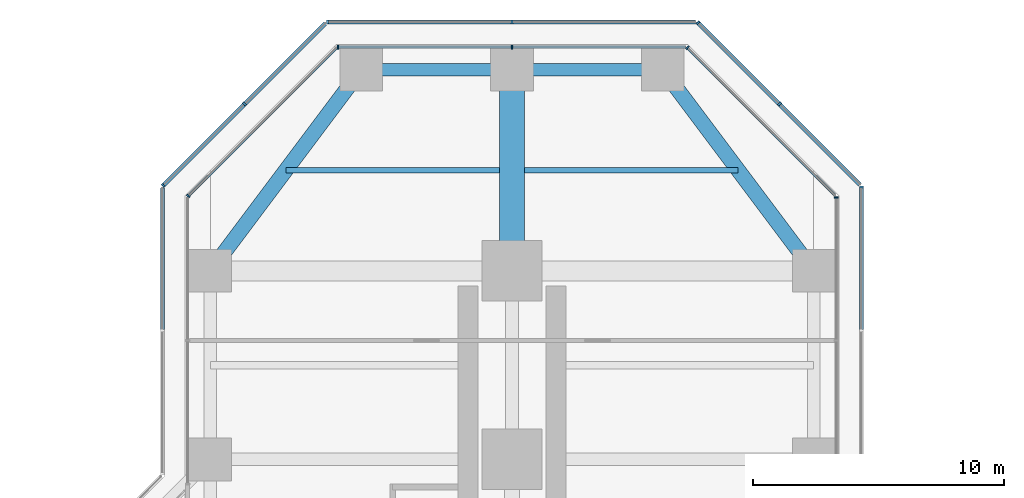
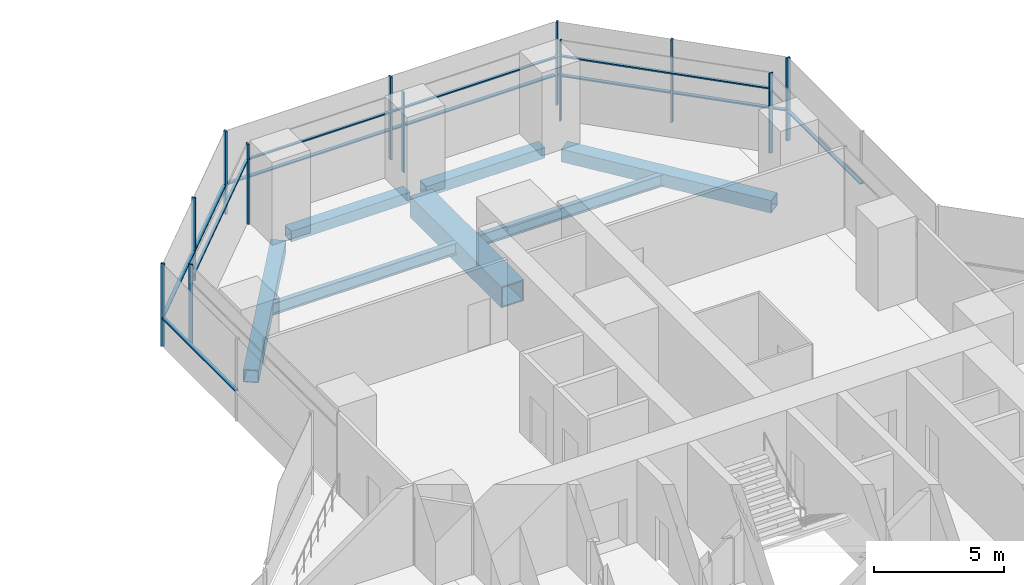
# One storey, part 13 of 22: 24 members, 7 beams, 9 elements without a shape of their own.
"""IFC4 building model written with IfcOpenShell, lengths in metres."""

from ifc_helpers import new_model, si_unit, direction, frame, origin, origin_2d, place, context, subcontext, project, spatial, rectangle, hollow_rectangle, i_section, extrude, material, material_profile, profile_set, type_object, element, aggregate, save


model = new_model("IFC4")

# Units and contexts
model_context = context("Model", 3, precision=1e-05, world=origin(), true_north=direction((0.0, 1.0)))
body_context = subcontext(model_context, "Body", "Model", "MODEL_VIEW")
ifc_project = project(units=[si_unit("LENGTHUNIT", "METRE"), si_unit("AREAUNIT", "SQUARE_METRE"), si_unit("VOLUMEUNIT", "CUBIC_METRE"), si_unit("PLANEANGLEUNIT", "RADIAN"), si_unit("MASSUNIT", "GRAM", prefix="KILO")], contexts=[model_context])

# Site, building, storey
site_placement = place(None, origin())
site = spatial("IfcSite", under=ifc_project, at=site_placement, CompositionType="ELEMENT")
building_placement = place(site_placement, origin())
building = spatial("IfcBuilding", under=site, at=building_placement, Name="Mizan Broadcast Tower", CompositionType="ELEMENT")
storey_placement = place(building_placement, frame((0.0, 0.0, 70.800048828125)))
storey = spatial("IfcBuildingStorey", under=building, at=storey_placement, Name="L14", CompositionType="ELEMENT", Elevation=70.800048828125)

# Beams
ifc_material_1 = material(Name="Steel S355", Category="steel")
ifc_material_profile_1 = material_profile(ifc_material_1, hollow_rectangle(XDim=0.5, YDim=0.5, WallThickness=0.030029296875, at=origin_2d()), Name="BOX 500x500x30")
ifc_profile_set_1 = profile_set([ifc_material_profile_1], Name="Steel S355")
beam_type_1 = type_object("IfcBeamType", Name="EDGE BEAM BOX 500x500x30", PredefinedType="SPANDREL", material=ifc_profile_set_1)
for number, where, z_axis, x_axis, name in (
    (1, (5.639892578125, 35.0, -0.380126953125), (-1.0, 0.0, 0.0), (0.0, -1.0, 0.0), "Edge beam BOX 500x500x30 L14 north arm"),
    (2, (-5.639892578125, 35.0, -0.380126953125), (1.0, 0.0, 0.0), (0.0, 1.0, 0.0), "Edge beam BOX 500x500x30 L14 north arm"),
):
    element("IfcBeam", number, at=place(storey_placement, frame(where, z_axis=z_axis, x_axis=x_axis)), inside=storey, type_object=beam_type_1, Name=name, PredefinedType="SPANDREL", context=body_context, shape_type="SweptSolid", body=[
        extrude(hollow_rectangle(XDim=0.5, YDim=0.5, WallThickness=0.030029296875, at=origin_2d()), origin(), (0.0, 0.0, 1.0), 5.27978515625),
    ])
ifc_material_2 = material(Name="Steel S355", Category="steel")
ifc_material_profile_2 = material_profile(ifc_material_2, hollow_rectangle(XDim=0.60009765625, YDim=0.60009765625, WallThickness=0.030029296875, at=origin_2d()), Name="BOX 600x600x30")
ifc_profile_set_2 = profile_set([ifc_material_profile_2], Name="Steel S355")
beam_type_2 = type_object("IfcBeamType", Name="EDGE BEAM BOX 600x600x30", PredefinedType="SPANDREL", material=ifc_profile_set_2)
for number, where, z_axis, x_axis, name in (
    (3, (11.639892578125, 27.47998046875, -0.429931640625), (-0.599982243973, 0.800013316712, 0.0), (-0.800013316712, -0.599982243973, 0.0), "Edge beam BOX 600x600x30 L14 north arm"),
    (4, (-11.639892578125, 27.47998046875, -0.429931640625), (0.599982243973, 0.800013316712, 0.0), (-0.800013316712, 0.599982243973, 0.0), "Edge beam BOX 600x600x30 L14 north arm"),
):
    element("IfcBeam", number, at=place(storey_placement, frame(where, z_axis=z_axis, x_axis=x_axis)), inside=storey, type_object=beam_type_2, Name=name, PredefinedType="SPANDREL", context=body_context, shape_type="SweptSolid", body=[
        extrude(hollow_rectangle(XDim=0.60009765625, YDim=0.60009765625, WallThickness=0.030029296875, at=origin_2d()), origin(), (0.0, 0.0, 1.0), 8.7998046875),
    ])
ifc_material_3 = material(Name="Steel S460", Category="steel")
ifc_material_profile_3 = material_profile(ifc_material_3, hollow_rectangle(XDim=1.0, YDim=1.0, WallThickness=0.06005859375, at=origin_2d()), Name="BOX 1000x1000x60")
ifc_profile_set_3 = profile_set([ifc_material_profile_3], Name="Steel S460")
beam_type_3 = type_object("IfcBeamType", Name="GIRDER BOX 1000x1000x60", PredefinedType="BEAM", material=ifc_profile_set_3)
beam_placement = place(storey_placement, frame((0.0, 27.47998046875, -0.630126953125), z_axis=(0.0, 1.0, 0.0), x_axis=(-1.0, 0.0, 0.0)))
element("IfcBeam", 5, at=beam_placement, inside=storey, type_object=beam_type_3, Name="Girder BOX 1000x1000x60 L14 north arm", PredefinedType="BEAM", context=body_context, shape_type="SweptSolid", body=[
    extrude(hollow_rectangle(XDim=1.0, YDim=1.0, WallThickness=0.06005859375, at=origin_2d()), origin(), (0.0, 0.0, 1.0), 7.0400390625),
])

# Curtain wall, member
ifc_material_4 = material(Name="Aluminium framed glazing", Category="aluminium")
curtain_wall_type_1 = type_object("IfcCurtainWallType", Name="INNER SKIN LOW ZONE", PredefinedType="USERDEFINED", material=ifc_material_4)
curtain_wall_1_placement = place(storey_placement, origin())
curtain_wall_1 = element("IfcCurtainWall", 6, at=curtain_wall_1_placement, inside=storey, type_object=curtain_wall_type_1, Name="Inner skin low zone L14 N side", ObjectType="INNER SKIN LOW ZONE", PredefinedType="USERDEFINED")
ifc_material_5 = material(Name="Aluminium, pale anodised", Category="aluminium")
ifc_material_profile_4 = material_profile(ifc_material_5, rectangle(XDim=0.159912109375, YDim=0.06005859375, at=origin_2d()), Name="MULLION 160x60")
ifc_profile_set_4 = profile_set([ifc_material_profile_4], Name="Aluminium, pale anodised")
member_type_1 = type_object("IfcMemberType", Name="INNER SKIN MULLION 60x160", PredefinedType="MULLION", material=ifc_profile_set_4)
member_1_placement = place(storey_placement, frame((12.89990234375, 29.928466796875, 0.0), z_axis=(0.0, 0.0, 1.0), x_axis=(-1.0, 0.0, 0.0)))
member_1 = element("IfcMember", 7, at=member_1_placement, type_object=member_type_1, Name="Inner skin low zone L14 N side mullion 3", PredefinedType="MULLION", context=body_context, shape_type="SweptSolid", body=[
    extrude(rectangle(XDim=0.159912109375, YDim=0.06005859375, at=origin_2d()), origin(), (0.0, 0.0, 1.0), 3.77001953125),
])
aggregate(curtain_wall_1, [member_1])

curtain_wall_2_placement = place(storey_placement, origin())
curtain_wall_2 = element("IfcCurtainWall", 8, at=curtain_wall_2_placement, inside=storey, type_object=curtain_wall_type_1, Name="Inner skin low zone L14 N chamfer", ObjectType="INNER SKIN LOW ZONE", PredefinedType="USERDEFINED")
member_2_placement = place(storey_placement, frame((6.979736328125, 35.87890625, 0.0), z_axis=(0.0, 0.0, 1.0), x_axis=(-0.707106781187, -0.707106781187, 0.0)))
member_2 = element("IfcMember", 9, at=member_2_placement, type_object=member_type_1, Name="Inner skin low zone L14 N chamfer mullion 2", PredefinedType="MULLION", context=body_context, shape_type="SweptSolid", body=[
    extrude(rectangle(XDim=0.159912109375, YDim=0.06005859375, at=origin_2d()), origin(), (0.0, 0.0, 1.0), 3.77001953125),
])

# Curtain wall, members
curtain_wall_3_placement = place(storey_placement, origin())
curtain_wall_3 = element("IfcCurtainWall", 10, at=curtain_wall_3_placement, inside=storey, type_object=curtain_wall_type_1, Name="Inner skin low zone L14 N end", ObjectType="INNER SKIN LOW ZONE", PredefinedType="USERDEFINED")
member_3_placement = place(storey_placement, frame((0.0, 35.89990234375, 0.0), z_axis=(0.0, 0.0, 1.0), x_axis=(0.0, -1.0, 0.0)))
member_3 = element("IfcMember", 11, at=member_3_placement, type_object=member_type_1, Name="Inner skin low zone L14 N end mullion 2", PredefinedType="MULLION", context=body_context, shape_type="SweptSolid", body=[
    extrude(rectangle(XDim=0.159912109375, YDim=0.06005859375, at=origin_2d()), origin(), (0.0, 0.0, 1.0), 3.77001953125),
])
member_4_placement = place(storey_placement, frame((-6.928466796875, 35.89990234375, 0.0), z_axis=(0.0, 0.0, 1.0), x_axis=(0.0, -1.0, 0.0)))
member_4 = element("IfcMember", 12, at=member_4_placement, type_object=member_type_1, Name="Inner skin low zone L14 N end mullion 3", PredefinedType="MULLION", context=body_context, shape_type="SweptSolid", body=[
    extrude(rectangle(XDim=0.159912109375, YDim=0.06005859375, at=origin_2d()), origin(), (0.0, 0.0, 1.0), 3.77001953125),
])

# Curtain wall, member
curtain_wall_4_placement = place(storey_placement, origin())
curtain_wall_4 = element("IfcCurtainWall", 13, at=curtain_wall_4_placement, inside=storey, type_object=curtain_wall_type_1, Name="Inner skin low zone L14 N chamfer", ObjectType="INNER SKIN LOW ZONE", PredefinedType="USERDEFINED")
member_5_placement = place(storey_placement, frame((-12.87890625, 29.979736328125, 0.0), z_axis=(0.0, 0.0, 1.0), x_axis=(0.707106781187, -0.707106781187, 0.0)))
member_5 = element("IfcMember", 14, at=member_5_placement, type_object=member_type_1, Name="Inner skin low zone L14 N chamfer mullion 2", PredefinedType="MULLION", context=body_context, shape_type="SweptSolid", body=[
    extrude(rectangle(XDim=0.159912109375, YDim=0.06005859375, at=origin_2d()), origin(), (0.0, 0.0, 1.0), 3.77001953125),
])

# Member
ifc_material_6 = material(Name="Aluminium, pale anodised", Category="aluminium")
ifc_material_profile_5 = material_profile(ifc_material_6, rectangle(XDim=0.1201171875, YDim=0.06005859375, at=origin_2d()), Name="TRANSOM 120x60")
ifc_profile_set_5 = profile_set([ifc_material_profile_5], Name="Aluminium, pale anodised")
member_type_2 = type_object("IfcMemberType", Name="INNER SKIN TRANSOM 60x120", PredefinedType="USERDEFINED", material=ifc_profile_set_5)
member_6_placement = place(storey_placement, frame((12.857666015625, 30.0009765625, 3.030029296875), z_axis=(-0.707106781187, 0.707106781187, 0.0), x_axis=(-0.707106781187, -0.707106781187, 0.0)))
member_6 = element("IfcMember", 15, at=member_6_placement, type_object=member_type_2, Name="Inner skin low zone L14 N chamfer transom 1.1", ObjectType="TRANSOM", PredefinedType="USERDEFINED", context=body_context, shape_type="SweptSolid", body=[
    extrude(rectangle(XDim=0.1201171875, YDim=0.06005859375, at=origin_2d()), origin(), (0.0, 0.0, 1.0), 8.28271484375),
])

aggregate(curtain_wall_2, [member_2, member_6])

member_7_placement = place(storey_placement, frame((6.898681640625, 35.89990234375, 3.030029296875), z_axis=(-1.0, 0.0, 0.0), x_axis=(0.0, -1.0, 0.0)))
member_7 = element("IfcMember", 16, at=member_7_placement, type_object=member_type_2, Name="Inner skin low zone L14 N end transom 1.1", ObjectType="TRANSOM", PredefinedType="USERDEFINED", context=body_context, shape_type="SweptSolid", body=[
    extrude(rectangle(XDim=0.1201171875, YDim=0.06005859375, at=origin_2d()), origin(), (0.0, 0.0, 1.0), 6.86865234375),
])

member_8_placement = place(storey_placement, frame((-0.030029296875, 35.89990234375, 3.030029296875), z_axis=(-1.0, 0.0, 0.0), x_axis=(0.0, -1.0, 0.0)))
member_8 = element("IfcMember", 17, at=member_8_placement, type_object=member_type_2, Name="Inner skin low zone L14 N end transom 2.1", ObjectType="TRANSOM", PredefinedType="USERDEFINED", context=body_context, shape_type="SweptSolid", body=[
    extrude(rectangle(XDim=0.1201171875, YDim=0.06005859375, at=origin_2d()), origin(), (0.0, 0.0, 1.0), 6.86865234375),
])

aggregate(curtain_wall_3, [member_3, member_4, member_7, member_8])

member_9_placement = place(storey_placement, frame((-7.0009765625, 35.857666015625, 3.030029296875), z_axis=(-0.707106781187, -0.707106781187, 0.0), x_axis=(0.707106781187, -0.707106781187, 0.0)))
member_9 = element("IfcMember", 18, at=member_9_placement, type_object=member_type_2, Name="Inner skin low zone L14 N chamfer transom 1.1", ObjectType="TRANSOM", PredefinedType="USERDEFINED", context=body_context, shape_type="SweptSolid", body=[
    extrude(rectangle(XDim=0.1201171875, YDim=0.06005859375, at=origin_2d()), origin(), (0.0, 0.0, 1.0), 8.28271484375),
])

aggregate(curtain_wall_4, [member_5, member_9])

# Curtain wall, member
ifc_material_7 = material(Name="Aluminium framed glazing", Category="aluminium")
curtain_wall_type_2 = type_object("IfcCurtainWallType", Name="OUTER SKIN", PredefinedType="USERDEFINED", material=ifc_material_7)
curtain_wall_5_placement = place(storey_placement, origin())
curtain_wall_5 = element("IfcCurtainWall", 19, at=curtain_wall_5_placement, inside=storey, type_object=curtain_wall_type_2, Name="Outer skin L14 N side", ObjectType="OUTER SKIN", PredefinedType="USERDEFINED")
ifc_material_8 = material(Name="Aluminium, pale anodised", Category="aluminium")
ifc_material_profile_6 = material_profile(ifc_material_8, rectangle(XDim=0.159912109375, YDim=0.080078125, at=origin_2d()), Name="MULLION 160x80")
ifc_profile_set_6 = profile_set([ifc_material_profile_6], Name="Aluminium, pale anodised")
member_type_3 = type_object("IfcMemberType", Name="OUTER SKIN MULLION 80x160", PredefinedType="MULLION", material=ifc_profile_set_6)
member_10_placement = place(storey_placement, frame((13.89990234375, 30.332763671875, 0.0), z_axis=(0.0, 0.0, 1.0), x_axis=(-1.0, 0.0, 0.0)))
member_10 = element("IfcMember", 20, at=member_10_placement, type_object=member_type_3, Name="Outer skin L14 N side mullion 3", PredefinedType="MULLION", context=body_context, shape_type="SweptSolid", body=[
    extrude(rectangle(XDim=0.159912109375, YDim=0.080078125, at=origin_2d()), origin(), (0.0, 0.0, 1.0), 3.89990234375),
])

# Curtain wall, members
curtain_wall_6_placement = place(storey_placement, origin())
curtain_wall_6 = element("IfcCurtainWall", 21, at=curtain_wall_6_placement, inside=storey, type_object=curtain_wall_type_2, Name="Outer skin L14 N chamfer", ObjectType="OUTER SKIN", PredefinedType="USERDEFINED")
member_11_placement = place(storey_placement, frame((10.636474609375, 33.636474609375, 0.0), z_axis=(0.0, 0.0, 1.0), x_axis=(-0.707106781187, -0.707106781187, 0.0)))
member_11 = element("IfcMember", 22, at=member_11_placement, type_object=member_type_3, Name="Outer skin L14 N chamfer mullion 2", PredefinedType="MULLION", context=body_context, shape_type="SweptSolid", body=[
    extrude(rectangle(XDim=0.159912109375, YDim=0.080078125, at=origin_2d()), origin(), (0.0, 0.0, 1.0), 3.89990234375),
])
member_12_placement = place(storey_placement, frame((7.401123046875, 36.871826171875, 0.0), z_axis=(0.0, 0.0, 1.0), x_axis=(-0.707106781187, -0.707106781187, 0.0)))
member_12 = element("IfcMember", 23, at=member_12_placement, type_object=member_type_3, Name="Outer skin L14 N chamfer mullion 3", PredefinedType="MULLION", context=body_context, shape_type="SweptSolid", body=[
    extrude(rectangle(XDim=0.159912109375, YDim=0.080078125, at=origin_2d()), origin(), (0.0, 0.0, 1.0), 3.89990234375),
])

curtain_wall_7_placement = place(storey_placement, origin())
curtain_wall_7 = element("IfcCurtainWall", 24, at=curtain_wall_7_placement, inside=storey, type_object=curtain_wall_type_2, Name="Outer skin L14 N end", ObjectType="OUTER SKIN", PredefinedType="USERDEFINED")
member_13_placement = place(storey_placement, frame((0.0, 36.89990234375, 0.0), z_axis=(0.0, 0.0, 1.0), x_axis=(0.0, -1.0, 0.0)))
member_13 = element("IfcMember", 25, at=member_13_placement, type_object=member_type_3, Name="Outer skin L14 N end mullion 2", PredefinedType="MULLION", context=body_context, shape_type="SweptSolid", body=[
    extrude(rectangle(XDim=0.159912109375, YDim=0.080078125, at=origin_2d()), origin(), (0.0, 0.0, 1.0), 3.89990234375),
])
member_14_placement = place(storey_placement, frame((-7.332763671875, 36.89990234375, 0.0), z_axis=(0.0, 0.0, 1.0), x_axis=(0.0, -1.0, 0.0)))
member_14 = element("IfcMember", 26, at=member_14_placement, type_object=member_type_3, Name="Outer skin L14 N end mullion 3", PredefinedType="MULLION", context=body_context, shape_type="SweptSolid", body=[
    extrude(rectangle(XDim=0.159912109375, YDim=0.080078125, at=origin_2d()), origin(), (0.0, 0.0, 1.0), 3.89990234375),
])

curtain_wall_8_placement = place(storey_placement, origin())
curtain_wall_8 = element("IfcCurtainWall", 27, at=curtain_wall_8_placement, inside=storey, type_object=curtain_wall_type_2, Name="Outer skin L14 N chamfer", ObjectType="OUTER SKIN", PredefinedType="USERDEFINED")
member_15_placement = place(storey_placement, frame((-10.636474609375, 33.636474609375, 0.0), z_axis=(0.0, 0.0, 1.0), x_axis=(0.707106781187, -0.707106781187, 0.0)))
member_15 = element("IfcMember", 28, at=member_15_placement, type_object=member_type_3, Name="Outer skin L14 N chamfer mullion 2", PredefinedType="MULLION", context=body_context, shape_type="SweptSolid", body=[
    extrude(rectangle(XDim=0.159912109375, YDim=0.080078125, at=origin_2d()), origin(), (0.0, 0.0, 1.0), 3.89990234375),
])
member_16_placement = place(storey_placement, frame((-13.871826171875, 30.401123046875, 0.0), z_axis=(0.0, 0.0, 1.0), x_axis=(0.707106781187, -0.707106781187, 0.0)))
member_16 = element("IfcMember", 29, at=member_16_placement, type_object=member_type_3, Name="Outer skin L14 N chamfer mullion 3", PredefinedType="MULLION", context=body_context, shape_type="SweptSolid", body=[
    extrude(rectangle(XDim=0.159912109375, YDim=0.080078125, at=origin_2d()), origin(), (0.0, 0.0, 1.0), 3.89990234375),
])

# Member
ifc_material_9 = material(Name="Aluminium, pale anodised", Category="aluminium")
ifc_material_profile_7 = material_profile(ifc_material_9, rectangle(XDim=0.159912109375, YDim=0.06005859375, at=origin_2d()), Name="TRANSOM 160x60")
ifc_profile_set_7 = profile_set([ifc_material_profile_7], Name="Aluminium, pale anodised")
member_type_4 = type_object("IfcMemberType", Name="OUTER SKIN TRANSOM 60x160", PredefinedType="USERDEFINED", material=ifc_profile_set_7)
member_17_placement = place(storey_placement, frame((13.89990234375, 24.662841796875, 1.39990234375), z_axis=(0.0, 1.0, 0.0), x_axis=(-1.0, 0.0, 0.0)))
member_17 = element("IfcMember", 30, at=member_17_placement, type_object=member_type_4, Name="Outer skin L14 N side transom 2.1", ObjectType="TRANSOM", PredefinedType="USERDEFINED", context=body_context, shape_type="SweptSolid", body=[
    extrude(rectangle(XDim=0.159912109375, YDim=0.06005859375, at=origin_2d()), origin(), (0.0, 0.0, 1.0), 5.6298828125),
])

aggregate(curtain_wall_5, [member_10, member_17])

member_18_placement = place(storey_placement, frame((13.843505859375, 30.429443359375, 1.39990234375), z_axis=(-0.707106781187, 0.707106781187, 0.0), x_axis=(-0.707106781187, -0.707106781187, 0.0)))
member_18 = element("IfcMember", 31, at=member_18_placement, type_object=member_type_4, Name="Outer skin L14 N chamfer transom 1.1", ObjectType="TRANSOM", PredefinedType="USERDEFINED", context=body_context, shape_type="SweptSolid", body=[
    extrude(rectangle(XDim=0.159912109375, YDim=0.06005859375, at=origin_2d()), origin(), (0.0, 0.0, 1.0), 4.495361328125),
])

member_19_placement = place(storey_placement, frame((10.608154296875, 33.664794921875, 1.39990234375), z_axis=(-0.707106781187, 0.707106781187, 0.0), x_axis=(-0.707106781187, -0.707106781187, 0.0)))
member_19 = element("IfcMember", 32, at=member_19_placement, type_object=member_type_4, Name="Outer skin L14 N chamfer transom 2.1", ObjectType="TRANSOM", PredefinedType="USERDEFINED", context=body_context, shape_type="SweptSolid", body=[
    extrude(rectangle(XDim=0.159912109375, YDim=0.06005859375, at=origin_2d()), origin(), (0.0, 0.0, 1.0), 4.495361328125),
])

aggregate(curtain_wall_6, [member_11, member_12, member_18, member_19])

member_20_placement = place(storey_placement, frame((7.292724609375, 36.89990234375, 1.39990234375), z_axis=(-1.0, 0.0, 0.0), x_axis=(0.0, -1.0, 0.0)))
member_20 = element("IfcMember", 33, at=member_20_placement, type_object=member_type_4, Name="Outer skin L14 N end transom 1.1", ObjectType="TRANSOM", PredefinedType="USERDEFINED", context=body_context, shape_type="SweptSolid", body=[
    extrude(rectangle(XDim=0.159912109375, YDim=0.06005859375, at=origin_2d()), origin(), (0.0, 0.0, 1.0), 7.252685546875),
])

member_21_placement = place(storey_placement, frame((-0.0400390625, 36.89990234375, 1.39990234375), z_axis=(-1.0, 0.0, 0.0), x_axis=(0.0, -1.0, 0.0)))
member_21 = element("IfcMember", 34, at=member_21_placement, type_object=member_type_4, Name="Outer skin L14 N end transom 2.1", ObjectType="TRANSOM", PredefinedType="USERDEFINED", context=body_context, shape_type="SweptSolid", body=[
    extrude(rectangle(XDim=0.159912109375, YDim=0.06005859375, at=origin_2d()), origin(), (0.0, 0.0, 1.0), 7.252685546875),
])

aggregate(curtain_wall_7, [member_13, member_14, member_20, member_21])

member_22_placement = place(storey_placement, frame((-7.429443359375, 36.843505859375, 1.39990234375), z_axis=(-0.707106781187, -0.707106781187, 0.0), x_axis=(0.707106781187, -0.707106781187, 0.0)))
member_22 = element("IfcMember", 35, at=member_22_placement, type_object=member_type_4, Name="Outer skin L14 N chamfer transom 1.1", ObjectType="TRANSOM", PredefinedType="USERDEFINED", context=body_context, shape_type="SweptSolid", body=[
    extrude(rectangle(XDim=0.159912109375, YDim=0.06005859375, at=origin_2d()), origin(), (0.0, 0.0, 1.0), 4.495361328125),
])

member_23_placement = place(storey_placement, frame((-10.664794921875, 33.608154296875, 1.39990234375), z_axis=(-0.707106781187, -0.707106781187, 0.0), x_axis=(0.707106781187, -0.707106781187, 0.0)))
member_23 = element("IfcMember", 36, at=member_23_placement, type_object=member_type_4, Name="Outer skin L14 N chamfer transom 2.1", ObjectType="TRANSOM", PredefinedType="USERDEFINED", context=body_context, shape_type="SweptSolid", body=[
    extrude(rectangle(XDim=0.159912109375, YDim=0.06005859375, at=origin_2d()), origin(), (0.0, 0.0, 1.0), 4.495361328125),
])

aggregate(curtain_wall_8, [member_15, member_16, member_22, member_23])

# Curtain wall, member
curtain_wall_9_placement = place(storey_placement, origin())
curtain_wall_9 = element("IfcCurtainWall", 37, at=curtain_wall_9_placement, inside=storey, type_object=curtain_wall_type_2, Name="Outer skin L14 N side", ObjectType="OUTER SKIN", PredefinedType="USERDEFINED")
member_24_placement = place(storey_placement, frame((-13.89990234375, 30.292724609375, 1.39990234375), z_axis=(0.0, -1.0, 0.0), x_axis=(1.0, 0.0, 0.0)))
member_24 = element("IfcMember", 38, at=member_24_placement, type_object=member_type_4, Name="Outer skin L14 N side transom 1.1", ObjectType="TRANSOM", PredefinedType="USERDEFINED", context=body_context, shape_type="SweptSolid", body=[
    extrude(rectangle(XDim=0.159912109375, YDim=0.06005859375, at=origin_2d()), origin(), (0.0, 0.0, 1.0), 5.6298828125),
])
aggregate(curtain_wall_9, [member_24])

# Beams
ifc_material_10 = material(Name="Steel S355", Category="steel")
ifc_material_profile_8 = material_profile(ifc_material_10, i_section(OverallWidth=0.2099609375, OverallDepth=0.550048828125, WebThickness=0.010986328125, FlangeThickness=0.01708984375, FilletRadius=0.02392578125, at=origin_2d()), Name="IPE 550")
ifc_profile_set_8 = profile_set([ifc_material_profile_8], Name="Steel S355")
beam_type_4 = type_object("IfcBeamType", Name="SECONDARY BEAM IPE 550", PredefinedType="JOIST", material=ifc_profile_set_8)
for number, where, z_axis, x_axis, name in (
    (39, (9.0, 31.0, -0.405029296875), (-1.0, 0.0, 0.0), (0.0, -1.0, 0.0), "Secondary beam IPE 550 L14 north arm"),
    (40, (-9.0, 31.0, -0.405029296875), (1.0, 0.0, 0.0), (0.0, 1.0, 0.0), "Secondary beam IPE 550 L14 north arm"),
):
    element("IfcBeam", number, at=place(storey_placement, frame(where, z_axis=z_axis, x_axis=x_axis)), inside=storey, type_object=beam_type_4, Name=name, PredefinedType="JOIST", context=body_context, shape_type="SweptSolid", body=[
        extrude(i_section(OverallWidth=0.2099609375, OverallDepth=0.550048828125, WebThickness=0.010986328125, FlangeThickness=0.01708984375, FilletRadius=0.02392578125, at=origin_2d()), origin(), (0.0, 0.0, 1.0), 8.5),
    ])

save(model, "model.ifc")
